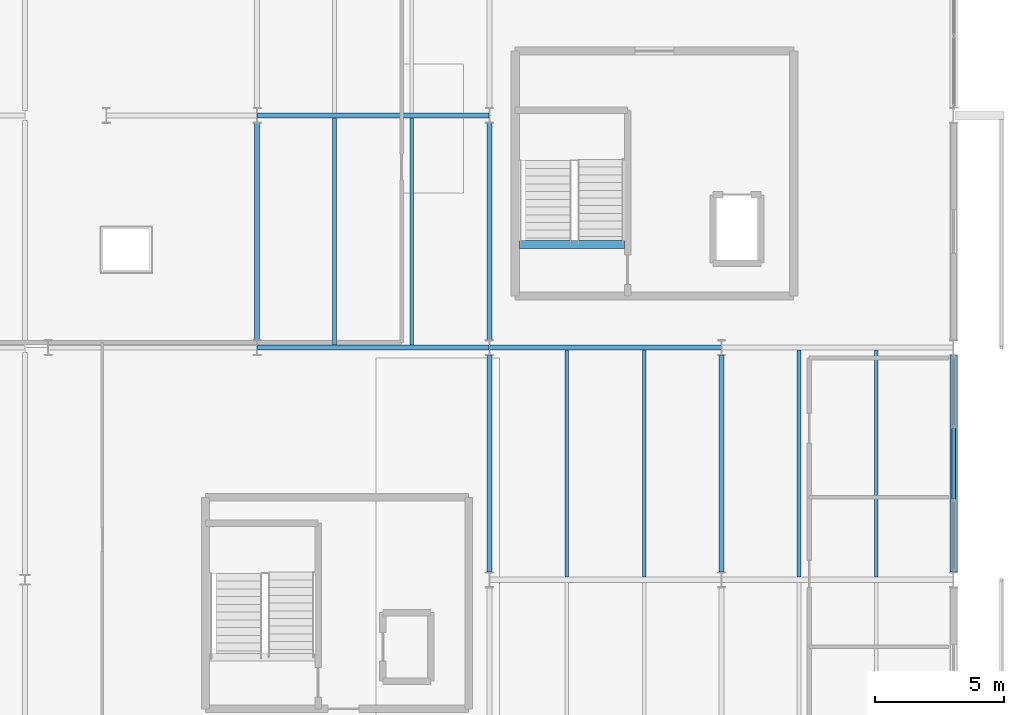
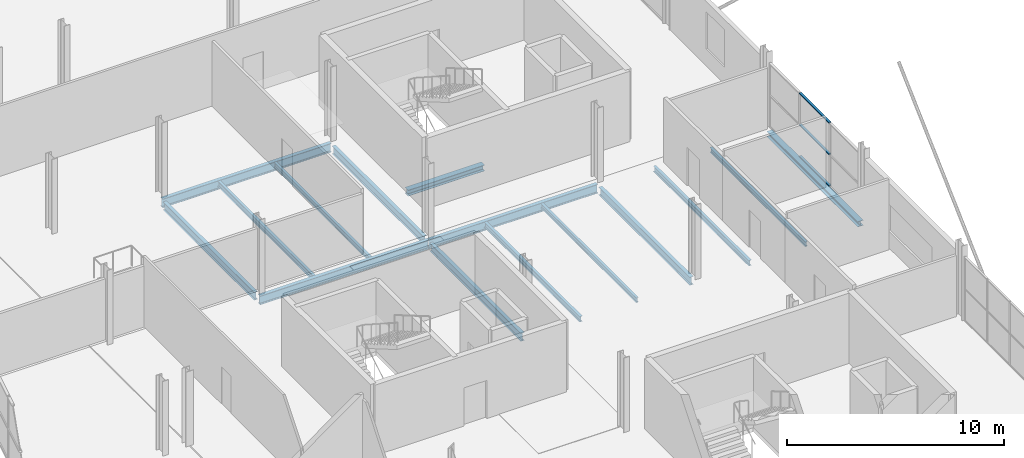
# One storey, part 39 of 59: 15 beams, 3 members, 1 element without a shape of its own.
"""IFC4 building model written with IfcOpenShell, lengths in metres."""

from ifc_helpers import new_model, si_unit, direction, frame, origin, origin_2d, place, context, subcontext, project, spatial, hollow_rectangle, i_section, extrude, material, layer, layer_set, material_profile, profile_set, type_object, element, aggregate, save


model = new_model("IFC4")

# Units and contexts
model_context = context("Model", 3, precision=1e-05, world=origin(), true_north=direction((0.0, 1.0)))
body_context = subcontext(model_context, "Body", "Model", "MODEL_VIEW")
ifc_project = project(units=[si_unit("LENGTHUNIT", "METRE"), si_unit("AREAUNIT", "SQUARE_METRE"), si_unit("VOLUMEUNIT", "CUBIC_METRE"), si_unit("PLANEANGLEUNIT", "RADIAN"), si_unit("MASSUNIT", "GRAM", prefix="KILO")], contexts=[model_context])

# Site, building, storey
site_placement = place(None, origin())
site = spatial("IfcSite", under=ifc_project, at=site_placement, CompositionType="ELEMENT")
building_placement = place(site_placement, origin())
building = spatial("IfcBuilding", under=site, at=building_placement, Name="Deido Ridge Mobility Hub", CompositionType="ELEMENT")
storey_placement = place(building_placement, frame((0.0, 0.0, 21.0)))
storey = spatial("IfcBuildingStorey", under=building, at=storey_placement, Name="L05", CompositionType="ELEMENT", Elevation=21.0)

# Beams
ifc_material_1 = material(Name="Steel S355J2 EN 10025-2", Category="steel")
ifc_material_profile_1 = material_profile(ifc_material_1, i_section(OverallWidth=0.300048828125, OverallDepth=0.330078125, WebThickness=0.009521484375, FlangeThickness=0.0166015625, FilletRadius=0.027099609375, at=origin_2d()), Name="HEA 340")
ifc_profile_set_1 = profile_set([ifc_material_profile_1], Name="Steel S355J2 EN 10025-2")
beam_type_1 = type_object("IfcBeamType", Name="BM-HEA340", PredefinedType="BEAM", material=ifc_profile_set_1)
beam_1_placement = place(storey_placement, frame((163.16259765625, 40.0, -0.409912109375), z_axis=(1.0, 0.0, 0.0), x_axis=(0.0, 1.0, 0.0)))
element("IfcBeam", 1, at=beam_1_placement, inside=storey, type_object=beam_type_1, Name="C2 stair landing trimmer beam B6", PredefinedType="BEAM", context=body_context, shape_type="SweptSolid", body=[
    extrude(i_section(OverallWidth=0.300048828125, OverallDepth=0.330078125, WebThickness=0.009521484375, FlangeThickness=0.0166015625, FilletRadius=0.027099609375, at=origin_2d()), origin(), (0.0, 0.0, 1.0), 4.072509765625),
])
ifc_material_profile_2 = material_profile(ifc_material_1, i_section(OverallWidth=0.18994140625, OverallDepth=0.449951171875, WebThickness=0.009521484375, FlangeThickness=0.0146484375, FilletRadius=0.02099609375, at=origin_2d()), Name="IPE 450")
ifc_profile_set_2 = profile_set([ifc_material_profile_2], Name="Steel S355J2 EN 10025-2")
beam_type_2 = type_object("IfcBeamType", Name="BM-IPE450", PredefinedType="BEAM", material=ifc_profile_set_2)
for number, where, z_axis, x_axis, name in (
    (2, (153.0, 36.300048828125, -0.469970703125), (0.0, 1.0, 0.0), (-1.0, 0.0, 0.0), "Floor beam B4"),
    (3, (162.0, 27.300048828125, -0.469970703125), (0.0, 1.0, 0.0), (-1.0, 0.0, 0.0), "Floor beam B4"),
    (4, (162.0, 36.300048828125, -0.469970703125), (0.0, 1.0, 0.0), (-1.0, 0.0, 0.0), "Floor beam B4"),
    (5, (171.0, 27.300048828125, -0.469970703125), (0.0, 1.0, 0.0), (-1.0, 0.0, 0.0), "Floor beam B4"),
):
    element("IfcBeam", number, at=place(storey_placement, frame(where, z_axis=z_axis, x_axis=x_axis)), inside=storey, type_object=beam_type_2, Name=name, PredefinedType="BEAM", context=body_context, shape_type="SweptSolid", body=[
        extrude(i_section(OverallWidth=0.18994140625, OverallDepth=0.449951171875, WebThickness=0.009521484375, FlangeThickness=0.0146484375, FilletRadius=0.02099609375, at=origin_2d()), origin(), (0.0, 0.0, 1.0), 8.39990234375),
    ])
ifc_material_profile_3 = material_profile(ifc_material_1, i_section(OverallWidth=0.199951171875, OverallDepth=0.5, WebThickness=0.01025390625, FlangeThickness=0.01611328125, FilletRadius=0.02099609375, at=origin_2d()), Name="IPE 500")
ifc_profile_set_3 = profile_set([ifc_material_profile_3], Name="Steel S355J2 EN 10025-2")
beam_type_3 = type_object("IfcBeamType", Name="BM-IPE500", PredefinedType="BEAM", material=ifc_profile_set_3)
for number, where, z_axis, x_axis, name in (
    (6, (153.0078125, 45.0, -0.4951171875), (1.0, 0.0, 0.0), (0.0, 1.0, 0.0), "Floor beam B3"),
    (7, (153.0078125, 36.0, -0.4951171875), (1.0, 0.0, 0.0), (0.0, 1.0, 0.0), "Floor beam B3"),
    (8, (162.0078125, 36.0, -0.4951171875), (1.0, 0.0, 0.0), (0.0, 1.0, 0.0), "Floor beam B3"),
):
    element("IfcBeam", number, at=place(storey_placement, frame(where, z_axis=z_axis, x_axis=x_axis)), inside=storey, type_object=beam_type_3, Name=name, PredefinedType="BEAM", context=body_context, shape_type="SweptSolid", body=[
        extrude(i_section(OverallWidth=0.199951171875, OverallDepth=0.5, WebThickness=0.01025390625, FlangeThickness=0.01611328125, FilletRadius=0.02099609375, at=origin_2d()), origin(), (0.0, 0.0, 1.0), 8.984375),
    ])
ifc_material_profile_4 = material_profile(ifc_material_1, i_section(OverallWidth=0.135009765625, OverallDepth=0.27001953125, WebThickness=0.006591796875, FlangeThickness=0.01025390625, FilletRadius=0.014892578125, at=origin_2d()), Name="IPE 270")
ifc_profile_set_4 = profile_set([ifc_material_profile_4], Name="Steel S355J2 EN 10025-2")
beam_type_4 = type_object("IfcBeamType", Name="JST-IPE270", PredefinedType="JOIST", material=ifc_profile_set_4)
for number, where, z_axis, x_axis, name in (
    (9, (168.0, 27.10009765625, -0.3798828125), (0.0, 1.0, 0.0), (-1.0, 0.0, 0.0), "Composite joist J4"),
    (10, (177.0, 27.10009765625, -0.3798828125), (0.0, 1.0, 0.0), (-1.0, 0.0, 0.0), "Composite joist J4"),
    (11, (159.0, 36.10009765625, -0.3798828125), (0.0, 1.0, 0.0), (-1.0, 0.0, 0.0), "Composite joist J4"),
):
    element("IfcBeam", number, at=place(storey_placement, frame(where, z_axis=z_axis, x_axis=x_axis)), inside=storey, type_object=beam_type_4, Name=name, PredefinedType="JOIST", context=body_context, shape_type="SweptSolid", body=[
        extrude(i_section(OverallWidth=0.135009765625, OverallDepth=0.27001953125, WebThickness=0.006591796875, FlangeThickness=0.01025390625, FilletRadius=0.014892578125, at=origin_2d()), origin(), (0.0, 0.0, 1.0), 8.7998046875),
    ])
ifc_material_profile_5 = material_profile(ifc_material_1, i_section(OverallWidth=0.14990234375, OverallDepth=0.300048828125, WebThickness=0.007080078125, FlangeThickness=0.0107421875, FilletRadius=0.014892578125, at=origin_2d()), Name="IPE 300")
ifc_profile_set_5 = profile_set([ifc_material_profile_5], Name="Steel S355J2 EN 10025-2")
beam_type_5 = type_object("IfcBeamType", Name="JST-IPE300", PredefinedType="JOIST", material=ifc_profile_set_5)
for number, where, z_axis, x_axis, name in (
    (12, (165.0, 27.10009765625, -0.39501953125), (0.0, 1.0, 0.0), (-1.0, 0.0, 0.0), "Composite joist J3"),
    (13, (174.0, 27.10009765625, -0.39501953125), (0.0, 1.0, 0.0), (-1.0, 0.0, 0.0), "Composite joist J3"),
    (14, (156.0, 36.10009765625, -0.39501953125), (0.0, 1.0, 0.0), (-1.0, 0.0, 0.0), "Composite joist J3"),
):
    element("IfcBeam", number, at=place(storey_placement, frame(where, z_axis=z_axis, x_axis=x_axis)), inside=storey, type_object=beam_type_5, Name=name, PredefinedType="JOIST", context=body_context, shape_type="SweptSolid", body=[
        extrude(i_section(OverallWidth=0.14990234375, OverallDepth=0.300048828125, WebThickness=0.007080078125, FlangeThickness=0.0107421875, FilletRadius=0.014892578125, at=origin_2d()), origin(), (0.0, 0.0, 1.0), 8.7998046875),
    ])

# Curtain wall, members
ifc_material_2 = material(Name="Anodised aluminium EN AW-6063 T6", Category="aluminium")
ifc_layer = layer(ifc_material_2, 0.195068359375, Name="Anodised aluminium EN AW-6063 T6")
ifc_layer_set = layer_set([ifc_layer], Name="Anodised aluminium EN AW-6063 T6")
curtain_wall_type = type_object("IfcCurtainWallType", Name="CW-UF-3", PredefinedType="USERDEFINED", material=ifc_layer_set)
curtain_wall_placement = place(storey_placement, origin())
curtain_wall = element("IfcCurtainWall", 15, at=curtain_wall_placement, inside=storey, type_object=curtain_wall_type, Name="Unitised curtain wall CW3", ObjectType="UNITISED FACADE", PredefinedType="USERDEFINED")
ifc_material_profile_6 = material_profile(ifc_material_2, hollow_rectangle(XDim=0.125, YDim=0.06005859375, WallThickness=0.00390625, at=origin_2d()), Name="RHS 125x60x4")
ifc_profile_set_6 = profile_set([ifc_material_profile_6], Name="Anodised aluminium EN AW-6063 T6")
member_type = type_object("IfcMemberType", Name="MEM-TRN-125X60", PredefinedType="USERDEFINED", material=ifc_profile_set_6)
member_1_placement = place(storey_placement, frame((180.0, 30.1298828125, 0.030029296875), z_axis=(0.0, 1.0, 0.0), x_axis=(-1.0, 0.0, 0.0)))
member_1 = element("IfcMember", 16, at=member_1_placement, type_object=member_type, Name="CW3 transom 2.1", ObjectType="TRANSOM", PredefinedType="USERDEFINED", context=body_context, shape_type="SweptSolid", body=[
    extrude(hollow_rectangle(XDim=0.125, YDim=0.06005859375, WallThickness=0.00390625, at=origin_2d()), origin(), (0.0, 0.0, 1.0), 2.740234375),
])
member_2_placement = place(storey_placement, frame((180.0, 30.1298828125, 1.800048828125), z_axis=(0.0, 1.0, 0.0), x_axis=(-1.0, 0.0, 0.0)))
member_2 = element("IfcMember", 17, at=member_2_placement, type_object=member_type, Name="CW3 transom 2.2", ObjectType="TRANSOM", PredefinedType="USERDEFINED", context=body_context, shape_type="SweptSolid", body=[
    extrude(hollow_rectangle(XDim=0.125, YDim=0.06005859375, WallThickness=0.00390625, at=origin_2d()), origin(), (0.0, 0.0, 1.0), 2.740234375),
])
member_3_placement = place(storey_placement, frame((180.0, 30.1298828125, 3.570068359375), z_axis=(0.0, 1.0, 0.0), x_axis=(-1.0, 0.0, 0.0)))
member_3 = element("IfcMember", 18, at=member_3_placement, type_object=member_type, Name="CW3 transom 2.3", ObjectType="TRANSOM", PredefinedType="USERDEFINED", context=body_context, shape_type="SweptSolid", body=[
    extrude(hollow_rectangle(XDim=0.125, YDim=0.06005859375, WallThickness=0.00390625, at=origin_2d()), origin(), (0.0, 0.0, 1.0), 2.740234375),
])
aggregate(curtain_wall, [member_1, member_2, member_3])

# Beam
ifc_material_profile_7 = material_profile(ifc_material_1, i_section(OverallWidth=0.300048828125, OverallDepth=0.300048828125, WebThickness=0.010986328125, FlangeThickness=0.01904296875, FilletRadius=0.027099609375, at=origin_2d()), Name="HEB 300")
ifc_profile_set_7 = profile_set([ifc_material_profile_7], Name="Steel S355J2 EN 10025-2")
beam_type_6 = type_object("IfcBeamType", Name="SPD-HEB300", PredefinedType="SPANDREL", material=ifc_profile_set_7)
beam_2_placement = place(storey_placement, frame((180.0, 27.300048828125, -0.39501953125), z_axis=(0.0, 1.0, 0.0), x_axis=(-1.0, 0.0, 0.0)))
element("IfcBeam", 19, at=beam_2_placement, inside=storey, type_object=beam_type_6, Name="Floor beam SP1", PredefinedType="SPANDREL", context=body_context, shape_type="SweptSolid", body=[
    extrude(i_section(OverallWidth=0.300048828125, OverallDepth=0.300048828125, WebThickness=0.010986328125, FlangeThickness=0.01904296875, FilletRadius=0.027099609375, at=origin_2d()), origin(), (0.0, 0.0, 1.0), 8.39990234375),
])

save(model, "model.ifc")
